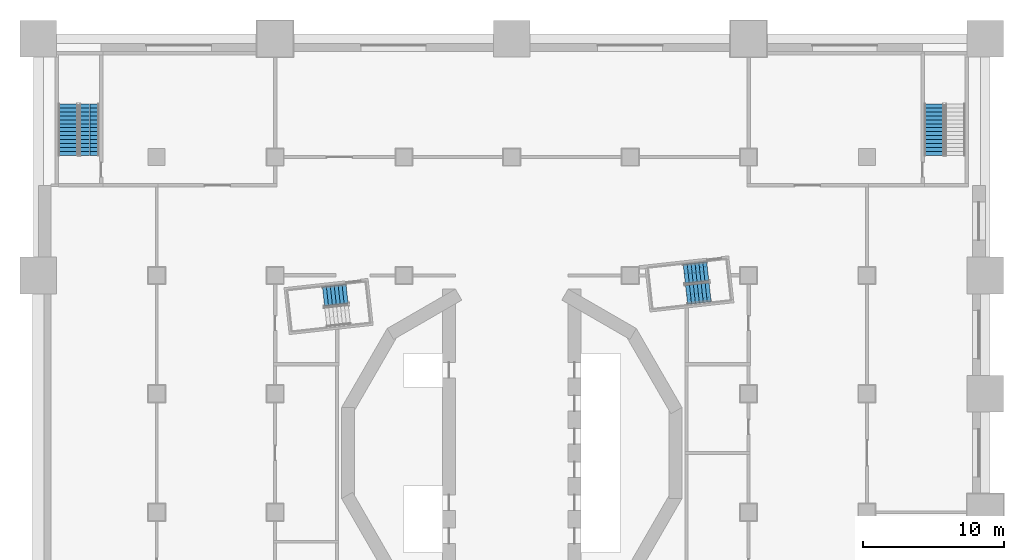
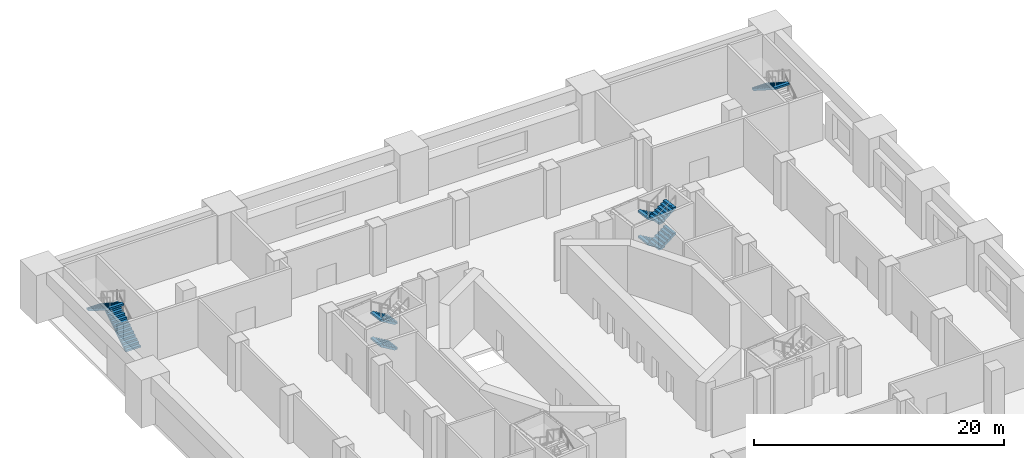
# One storey, part 7 of 17: 9 stair flights, 4 elements without a shape of their own.
"""IFC4 building model written with IfcOpenShell, lengths in metres."""

from ifc_helpers import new_model, si_unit, direction, frame, origin, place, context, subcontext, project, spatial, polyline, outline, extrude, material, type_object, element, aggregate, save


model = new_model("IFC4")

# Units and contexts
model_context = context("Model", 3, precision=1e-05, world=origin(), true_north=direction((0.0, 1.0)))
body_context = subcontext(model_context, "Body", "Model", "MODEL_VIEW")
ifc_project = project(units=[si_unit("LENGTHUNIT", "METRE"), si_unit("AREAUNIT", "SQUARE_METRE"), si_unit("VOLUMEUNIT", "CUBIC_METRE"), si_unit("PLANEANGLEUNIT", "RADIAN"), si_unit("MASSUNIT", "GRAM", prefix="KILO")], contexts=[model_context])

# Site, building, storey
site_placement = place(None, origin())
site = spatial("IfcSite", under=ifc_project, at=site_placement, CompositionType="ELEMENT")
building_placement = place(site_placement, origin())
building = spatial("IfcBuilding", under=site, at=building_placement, Name="Cantera Rosa Tower", CompositionType="ELEMENT")
storey_placement = place(building_placement, frame((0.0, 0.0, 27.0)))
storey = spatial("IfcBuildingStorey", under=building, at=storey_placement, Name="L04", CompositionType="ELEMENT", Elevation=27.0)

# Stair, stair flights
ifc_material_1 = material(Name="Concrete C35/45", Category="concrete")
stair_type_1 = type_object("IfcStairType", Name="EXIT STAIR 1350 DOGLEG", PredefinedType="HALF_TURN_STAIR", material=ifc_material_1)
stair_1_placement = place(storey_placement, origin())
stair_1 = element("IfcStair", 1, at=stair_1_placement, inside=storey, type_object=stair_type_1, Name="L04 ST-11", PredefinedType="HALF_TURN_STAIR")
ifc_material_2 = material(Name="Concrete C35/45", Category="concrete")
stair_flight_type_1 = type_object("IfcStairFlightType", Name="STAIR FLIGHT 1350 R28x179", PredefinedType="STRAIGHT", material=ifc_material_2)
stair_flight_1_placement = place(storey_placement, frame((13.90869140625, 12.89990234375, 0.0), z_axis=(0.0, 0.0, 1.0), x_axis=(-0.993896947056, -0.110312549749, 0.0)))
stair_flight_1 = element("IfcStairFlight", 2, at=stair_flight_1_placement, type_object=stair_flight_type_1, Name="ST-11 flight 1", NumberOfRisers=7, NumberOfTreads=6, PredefinedType="STRAIGHT", RiserHeight=0.178571429, TreadLength=0.28, context=body_context, shape_type="SweptSolid", body=[
    extrude(outline(polyline([(0.0, 0.0), (0.0, 0.178466796875), (0.280029296875, 0.178466796875), (0.280029296875, 0.357177734375), (0.56005859375, 0.357177734375), (0.56005859375, 0.53564453125), (0.840087890625, 0.53564453125), (0.840087890625, 0.71435546875), (1.1201171875, 0.71435546875), (1.1201171875, 0.892822265625), (1.39990234375, 0.892822265625), (1.39990234375, 1.071533203125), (1.679931640625, 1.071533203125), (1.679931640625, 1.25), (1.679931640625, 0.8935546875), (0.27880859375, 0.0), (0.0, 0.0)])), frame((0.0, 0.675048828125, 0.0), z_axis=(0.0, -1.0, 0.0), x_axis=(1.0, 0.0, 0.0)), (0.0, 0.0, 1.0), 0.3359375),
    extrude(outline(polyline([(0.0, 0.0), (0.0, 0.178466796875), (0.280029296875, 0.178466796875), (0.280029296875, 0.357177734375), (0.56005859375, 0.357177734375), (0.56005859375, 0.53564453125), (0.840087890625, 0.53564453125), (0.840087890625, 0.71435546875), (1.1201171875, 0.71435546875), (1.1201171875, 0.892822265625), (1.39990234375, 0.892822265625), (1.39990234375, 1.071533203125), (1.679931640625, 1.071533203125), (1.679931640625, 1.25), (1.679931640625, 0.8935546875), (0.27880859375, 0.0), (0.0, 0.0)])), frame((0.0, 0.337158203125, 0.0), z_axis=(0.0, -1.0, 0.0), x_axis=(1.0, 0.0, 0.0)), (0.0, 0.0, 1.0), 0.3359375),
    extrude(outline(polyline([(0.0, 0.0), (0.0, 0.178466796875), (0.280029296875, 0.178466796875), (0.280029296875, 0.357177734375), (0.56005859375, 0.357177734375), (0.56005859375, 0.53564453125), (0.840087890625, 0.53564453125), (0.840087890625, 0.71435546875), (1.1201171875, 0.71435546875), (1.1201171875, 0.892822265625), (1.39990234375, 0.892822265625), (1.39990234375, 1.071533203125), (1.679931640625, 1.071533203125), (1.679931640625, 1.25), (1.679931640625, 0.8935546875), (0.27880859375, 0.0), (0.0, 0.0)])), frame((0.0, -0.000732421875, 0.0), z_axis=(0.0, -1.0, 0.0), x_axis=(1.0, 0.0, 0.0)), (0.0, 0.0, 1.0), 0.3359375),
    extrude(outline(polyline([(0.0, 0.0), (0.0, 0.178466796875), (0.280029296875, 0.178466796875), (0.280029296875, 0.357177734375), (0.56005859375, 0.357177734375), (0.56005859375, 0.53564453125), (0.840087890625, 0.53564453125), (0.840087890625, 0.71435546875), (1.1201171875, 0.71435546875), (1.1201171875, 0.892822265625), (1.39990234375, 0.892822265625), (1.39990234375, 1.071533203125), (1.679931640625, 1.071533203125), (1.679931640625, 1.25), (1.679931640625, 0.8935546875), (0.27880859375, 0.0), (0.0, 0.0)])), frame((0.0, -0.338623046875, 0.0), z_axis=(0.0, -1.0, 0.0), x_axis=(1.0, 0.0, 0.0)), (0.0, 0.0, 1.0), 0.3359375),
])
stair_flight_2_placement = place(storey_placement, frame((12.404541015625, 11.2236328125, 1.25), z_axis=(0.0, 0.0, 1.0), x_axis=(0.993896947056, 0.110312549749, 0.0)))
stair_flight_2 = element("IfcStairFlight", 3, at=stair_flight_2_placement, type_object=stair_flight_type_1, Name="ST-11 flight 2", NumberOfRisers=7, NumberOfTreads=6, PredefinedType="STRAIGHT", RiserHeight=0.178571429, TreadLength=0.28, context=body_context, shape_type="SweptSolid", body=[
    extrude(outline(polyline([(0.0, 0.0), (0.0, 0.178466796875), (0.280029296875, 0.178466796875), (0.280029296875, 0.357177734375), (0.56005859375, 0.357177734375), (0.56005859375, 0.53564453125), (0.840087890625, 0.53564453125), (0.840087890625, 0.71435546875), (1.1201171875, 0.71435546875), (1.1201171875, 0.892822265625), (1.39990234375, 0.892822265625), (1.39990234375, 1.071533203125), (1.679931640625, 1.071533203125), (1.679931640625, 1.25), (1.679931640625, 0.8935546875), (0.27880859375, 0.0), (0.0, 0.0)])), frame((0.0, 0.675048828125, 0.0), z_axis=(0.0, -1.0, 0.0), x_axis=(1.0, 0.0, 0.0)), (0.0, 0.0, 1.0), 0.3359375),
    extrude(outline(polyline([(0.0, 0.0), (0.0, 0.178466796875), (0.280029296875, 0.178466796875), (0.280029296875, 0.357177734375), (0.56005859375, 0.357177734375), (0.56005859375, 0.53564453125), (0.840087890625, 0.53564453125), (0.840087890625, 0.71435546875), (1.1201171875, 0.71435546875), (1.1201171875, 0.892822265625), (1.39990234375, 0.892822265625), (1.39990234375, 1.071533203125), (1.679931640625, 1.071533203125), (1.679931640625, 1.25), (1.679931640625, 0.8935546875), (0.27880859375, 0.0), (0.0, 0.0)])), frame((0.0, 0.337158203125, 0.0), z_axis=(0.0, -1.0, 0.0), x_axis=(1.0, 0.0, 0.0)), (0.0, 0.0, 1.0), 0.3359375),
    extrude(outline(polyline([(0.0, 0.0), (0.0, 0.178466796875), (0.280029296875, 0.178466796875), (0.280029296875, 0.357177734375), (0.56005859375, 0.357177734375), (0.56005859375, 0.53564453125), (0.840087890625, 0.53564453125), (0.840087890625, 0.71435546875), (1.1201171875, 0.71435546875), (1.1201171875, 0.892822265625), (1.39990234375, 0.892822265625), (1.39990234375, 1.071533203125), (1.679931640625, 1.071533203125), (1.679931640625, 1.25), (1.679931640625, 0.8935546875), (0.27880859375, 0.0), (0.0, 0.0)])), frame((0.0, -0.000732421875, 0.0), z_axis=(0.0, -1.0, 0.0), x_axis=(1.0, 0.0, 0.0)), (0.0, 0.0, 1.0), 0.3359375),
    extrude(outline(polyline([(0.0, 0.0), (0.0, 0.178466796875), (0.280029296875, 0.178466796875), (0.280029296875, 0.357177734375), (0.56005859375, 0.357177734375), (0.56005859375, 0.53564453125), (0.840087890625, 0.53564453125), (0.840087890625, 0.71435546875), (1.1201171875, 0.71435546875), (1.1201171875, 0.892822265625), (1.39990234375, 0.892822265625), (1.39990234375, 1.071533203125), (1.679931640625, 1.071533203125), (1.679931640625, 1.25), (1.679931640625, 0.8935546875), (0.27880859375, 0.0), (0.0, 0.0)])), frame((0.0, -0.338623046875, 0.0), z_axis=(0.0, -1.0, 0.0), x_axis=(1.0, 0.0, 0.0)), (0.0, 0.0, 1.0), 0.3359375),
])
stair_flight_3_placement = place(storey_placement, frame((13.90869140625, 12.89990234375, 2.5), z_axis=(0.0, 0.0, 1.0), x_axis=(-0.993896947056, -0.110312549749, 0.0)))
stair_flight_3 = element("IfcStairFlight", 4, at=stair_flight_3_placement, type_object=stair_flight_type_1, Name="ST-11 flight 3", NumberOfRisers=7, NumberOfTreads=6, PredefinedType="STRAIGHT", RiserHeight=0.178571429, TreadLength=0.28, context=body_context, shape_type="SweptSolid", body=[
    extrude(outline(polyline([(0.0, 0.0), (0.0, 0.178466796875), (0.280029296875, 0.178466796875), (0.280029296875, 0.357177734375), (0.56005859375, 0.357177734375), (0.56005859375, 0.53564453125), (0.840087890625, 0.53564453125), (0.840087890625, 0.71435546875), (1.1201171875, 0.71435546875), (1.1201171875, 0.892822265625), (1.39990234375, 0.892822265625), (1.39990234375, 1.071533203125), (1.679931640625, 1.071533203125), (1.679931640625, 1.25), (1.679931640625, 0.8935546875), (0.27880859375, 0.0), (0.0, 0.0)])), frame((0.0, 0.675048828125, 0.0), z_axis=(0.0, -1.0, 0.0), x_axis=(1.0, 0.0, 0.0)), (0.0, 0.0, 1.0), 0.3359375),
    extrude(outline(polyline([(0.0, 0.0), (0.0, 0.178466796875), (0.280029296875, 0.178466796875), (0.280029296875, 0.357177734375), (0.56005859375, 0.357177734375), (0.56005859375, 0.53564453125), (0.840087890625, 0.53564453125), (0.840087890625, 0.71435546875), (1.1201171875, 0.71435546875), (1.1201171875, 0.892822265625), (1.39990234375, 0.892822265625), (1.39990234375, 1.071533203125), (1.679931640625, 1.071533203125), (1.679931640625, 1.25), (1.679931640625, 0.8935546875), (0.27880859375, 0.0), (0.0, 0.0)])), frame((0.0, 0.337158203125, 0.0), z_axis=(0.0, -1.0, 0.0), x_axis=(1.0, 0.0, 0.0)), (0.0, 0.0, 1.0), 0.3359375),
    extrude(outline(polyline([(0.0, 0.0), (0.0, 0.178466796875), (0.280029296875, 0.178466796875), (0.280029296875, 0.357177734375), (0.56005859375, 0.357177734375), (0.56005859375, 0.53564453125), (0.840087890625, 0.53564453125), (0.840087890625, 0.71435546875), (1.1201171875, 0.71435546875), (1.1201171875, 0.892822265625), (1.39990234375, 0.892822265625), (1.39990234375, 1.071533203125), (1.679931640625, 1.071533203125), (1.679931640625, 1.25), (1.679931640625, 0.8935546875), (0.27880859375, 0.0), (0.0, 0.0)])), frame((0.0, -0.000732421875, 0.0), z_axis=(0.0, -1.0, 0.0), x_axis=(1.0, 0.0, 0.0)), (0.0, 0.0, 1.0), 0.3359375),
    extrude(outline(polyline([(0.0, 0.0), (0.0, 0.178466796875), (0.280029296875, 0.178466796875), (0.280029296875, 0.357177734375), (0.56005859375, 0.357177734375), (0.56005859375, 0.53564453125), (0.840087890625, 0.53564453125), (0.840087890625, 0.71435546875), (1.1201171875, 0.71435546875), (1.1201171875, 0.892822265625), (1.39990234375, 0.892822265625), (1.39990234375, 1.071533203125), (1.679931640625, 1.071533203125), (1.679931640625, 1.25), (1.679931640625, 0.8935546875), (0.27880859375, 0.0), (0.0, 0.0)])), frame((0.0, -0.338623046875, 0.0), z_axis=(0.0, -1.0, 0.0), x_axis=(1.0, 0.0, 0.0)), (0.0, 0.0, 1.0), 0.3359375),
])
stair_flight_4_placement = place(storey_placement, frame((12.404541015625, 11.2236328125, 3.75), z_axis=(0.0, 0.0, 1.0), x_axis=(0.993896947056, 0.110312549749, 0.0)))
stair_flight_4 = element("IfcStairFlight", 5, at=stair_flight_4_placement, type_object=stair_flight_type_1, Name="ST-11 flight 4", NumberOfRisers=7, NumberOfTreads=6, PredefinedType="STRAIGHT", RiserHeight=0.178571429, TreadLength=0.28, context=body_context, shape_type="SweptSolid", body=[
    extrude(outline(polyline([(0.0, 0.0), (0.0, 0.178466796875), (0.280029296875, 0.178466796875), (0.280029296875, 0.357177734375), (0.56005859375, 0.357177734375), (0.56005859375, 0.53564453125), (0.840087890625, 0.53564453125), (0.840087890625, 0.71435546875), (1.1201171875, 0.71435546875), (1.1201171875, 0.892822265625), (1.39990234375, 0.892822265625), (1.39990234375, 1.071533203125), (1.679931640625, 1.071533203125), (1.679931640625, 1.25), (1.679931640625, 0.8935546875), (0.27880859375, 0.0), (0.0, 0.0)])), frame((0.0, 0.675048828125, 0.0), z_axis=(0.0, -1.0, 0.0), x_axis=(1.0, 0.0, 0.0)), (0.0, 0.0, 1.0), 0.3359375),
    extrude(outline(polyline([(0.0, 0.0), (0.0, 0.178466796875), (0.280029296875, 0.178466796875), (0.280029296875, 0.357177734375), (0.56005859375, 0.357177734375), (0.56005859375, 0.53564453125), (0.840087890625, 0.53564453125), (0.840087890625, 0.71435546875), (1.1201171875, 0.71435546875), (1.1201171875, 0.892822265625), (1.39990234375, 0.892822265625), (1.39990234375, 1.071533203125), (1.679931640625, 1.071533203125), (1.679931640625, 1.25), (1.679931640625, 0.8935546875), (0.27880859375, 0.0), (0.0, 0.0)])), frame((0.0, 0.337158203125, 0.0), z_axis=(0.0, -1.0, 0.0), x_axis=(1.0, 0.0, 0.0)), (0.0, 0.0, 1.0), 0.3359375),
    extrude(outline(polyline([(0.0, 0.0), (0.0, 0.178466796875), (0.280029296875, 0.178466796875), (0.280029296875, 0.357177734375), (0.56005859375, 0.357177734375), (0.56005859375, 0.53564453125), (0.840087890625, 0.53564453125), (0.840087890625, 0.71435546875), (1.1201171875, 0.71435546875), (1.1201171875, 0.892822265625), (1.39990234375, 0.892822265625), (1.39990234375, 1.071533203125), (1.679931640625, 1.071533203125), (1.679931640625, 1.25), (1.679931640625, 0.8935546875), (0.27880859375, 0.0), (0.0, 0.0)])), frame((0.0, -0.000732421875, 0.0), z_axis=(0.0, -1.0, 0.0), x_axis=(1.0, 0.0, 0.0)), (0.0, 0.0, 1.0), 0.3359375),
    extrude(outline(polyline([(0.0, 0.0), (0.0, 0.178466796875), (0.280029296875, 0.178466796875), (0.280029296875, 0.357177734375), (0.56005859375, 0.357177734375), (0.56005859375, 0.53564453125), (0.840087890625, 0.53564453125), (0.840087890625, 0.71435546875), (1.1201171875, 0.71435546875), (1.1201171875, 0.892822265625), (1.39990234375, 0.892822265625), (1.39990234375, 1.071533203125), (1.679931640625, 1.071533203125), (1.679931640625, 1.25), (1.679931640625, 0.8935546875), (0.27880859375, 0.0), (0.0, 0.0)])), frame((0.0, -0.338623046875, 0.0), z_axis=(0.0, -1.0, 0.0), x_axis=(1.0, 0.0, 0.0)), (0.0, 0.0, 1.0), 0.3359375),
])
aggregate(stair_1, [stair_flight_1, stair_flight_2, stair_flight_3, stair_flight_4])

stair_2_placement = place(storey_placement, origin())
stair_2 = element("IfcStair", 6, at=stair_2_placement, inside=storey, type_object=stair_type_1, Name="L04 ST-12", PredefinedType="HALF_TURN_STAIR")
stair_flight_5_placement = place(storey_placement, frame((-11.691162109375, 11.2998046875, 0.0), z_axis=(0.0, 0.0, 1.0), x_axis=(-0.993896947056, -0.110312549749, 0.0)))
stair_flight_5 = element("IfcStairFlight", 7, at=stair_flight_5_placement, type_object=stair_flight_type_1, Name="ST-12 flight 1", NumberOfRisers=7, NumberOfTreads=6, PredefinedType="STRAIGHT", RiserHeight=0.178571429, TreadLength=0.28, context=body_context, shape_type="SweptSolid", body=[
    extrude(outline(polyline([(0.0, 0.0), (0.0, 0.178466796875), (0.280029296875, 0.178466796875), (0.280029296875, 0.357177734375), (0.56005859375, 0.357177734375), (0.56005859375, 0.53564453125), (0.840087890625, 0.53564453125), (0.840087890625, 0.71435546875), (1.1201171875, 0.71435546875), (1.1201171875, 0.892822265625), (1.39990234375, 0.892822265625), (1.39990234375, 1.071533203125), (1.679931640625, 1.071533203125), (1.679931640625, 1.25), (1.679931640625, 0.8935546875), (0.27880859375, 0.0), (0.0, 0.0)])), frame((0.0, 0.675048828125, 0.0), z_axis=(0.0, -1.0, 0.0), x_axis=(1.0, 0.0, 0.0)), (0.0, 0.0, 1.0), 0.3359375),
    extrude(outline(polyline([(0.0, 0.0), (0.0, 0.178466796875), (0.280029296875, 0.178466796875), (0.280029296875, 0.357177734375), (0.56005859375, 0.357177734375), (0.56005859375, 0.53564453125), (0.840087890625, 0.53564453125), (0.840087890625, 0.71435546875), (1.1201171875, 0.71435546875), (1.1201171875, 0.892822265625), (1.39990234375, 0.892822265625), (1.39990234375, 1.071533203125), (1.679931640625, 1.071533203125), (1.679931640625, 1.25), (1.679931640625, 0.8935546875), (0.27880859375, 0.0), (0.0, 0.0)])), frame((0.0, 0.337158203125, 0.0), z_axis=(0.0, -1.0, 0.0), x_axis=(1.0, 0.0, 0.0)), (0.0, 0.0, 1.0), 0.3359375),
    extrude(outline(polyline([(0.0, 0.0), (0.0, 0.178466796875), (0.280029296875, 0.178466796875), (0.280029296875, 0.357177734375), (0.56005859375, 0.357177734375), (0.56005859375, 0.53564453125), (0.840087890625, 0.53564453125), (0.840087890625, 0.71435546875), (1.1201171875, 0.71435546875), (1.1201171875, 0.892822265625), (1.39990234375, 0.892822265625), (1.39990234375, 1.071533203125), (1.679931640625, 1.071533203125), (1.679931640625, 1.25), (1.679931640625, 0.8935546875), (0.27880859375, 0.0), (0.0, 0.0)])), frame((0.0, -0.000732421875, 0.0), z_axis=(0.0, -1.0, 0.0), x_axis=(1.0, 0.0, 0.0)), (0.0, 0.0, 1.0), 0.3359375),
    extrude(outline(polyline([(0.0, 0.0), (0.0, 0.178466796875), (0.280029296875, 0.178466796875), (0.280029296875, 0.357177734375), (0.56005859375, 0.357177734375), (0.56005859375, 0.53564453125), (0.840087890625, 0.53564453125), (0.840087890625, 0.71435546875), (1.1201171875, 0.71435546875), (1.1201171875, 0.892822265625), (1.39990234375, 0.892822265625), (1.39990234375, 1.071533203125), (1.679931640625, 1.071533203125), (1.679931640625, 1.25), (1.679931640625, 0.8935546875), (0.27880859375, 0.0), (0.0, 0.0)])), frame((0.0, -0.338623046875, 0.0), z_axis=(0.0, -1.0, 0.0), x_axis=(1.0, 0.0, 0.0)), (0.0, 0.0, 1.0), 0.3359375),
])
stair_flight_6_placement = place(storey_placement, frame((-11.691162109375, 11.2998046875, 2.5), z_axis=(0.0, 0.0, 1.0), x_axis=(-0.993896947056, -0.110312549749, 0.0)))
stair_flight_6 = element("IfcStairFlight", 8, at=stair_flight_6_placement, type_object=stair_flight_type_1, Name="ST-12 flight 3", NumberOfRisers=7, NumberOfTreads=6, PredefinedType="STRAIGHT", RiserHeight=0.178571429, TreadLength=0.28, context=body_context, shape_type="SweptSolid", body=[
    extrude(outline(polyline([(0.0, 0.0), (0.0, 0.178466796875), (0.280029296875, 0.178466796875), (0.280029296875, 0.357177734375), (0.56005859375, 0.357177734375), (0.56005859375, 0.53564453125), (0.840087890625, 0.53564453125), (0.840087890625, 0.71435546875), (1.1201171875, 0.71435546875), (1.1201171875, 0.892822265625), (1.39990234375, 0.892822265625), (1.39990234375, 1.071533203125), (1.679931640625, 1.071533203125), (1.679931640625, 1.25), (1.679931640625, 0.8935546875), (0.27880859375, 0.0), (0.0, 0.0)])), frame((0.0, 0.675048828125, 0.0), z_axis=(0.0, -1.0, 0.0), x_axis=(1.0, 0.0, 0.0)), (0.0, 0.0, 1.0), 0.3359375),
    extrude(outline(polyline([(0.0, 0.0), (0.0, 0.178466796875), (0.280029296875, 0.178466796875), (0.280029296875, 0.357177734375), (0.56005859375, 0.357177734375), (0.56005859375, 0.53564453125), (0.840087890625, 0.53564453125), (0.840087890625, 0.71435546875), (1.1201171875, 0.71435546875), (1.1201171875, 0.892822265625), (1.39990234375, 0.892822265625), (1.39990234375, 1.071533203125), (1.679931640625, 1.071533203125), (1.679931640625, 1.25), (1.679931640625, 0.8935546875), (0.27880859375, 0.0), (0.0, 0.0)])), frame((0.0, 0.337158203125, 0.0), z_axis=(0.0, -1.0, 0.0), x_axis=(1.0, 0.0, 0.0)), (0.0, 0.0, 1.0), 0.3359375),
    extrude(outline(polyline([(0.0, 0.0), (0.0, 0.178466796875), (0.280029296875, 0.178466796875), (0.280029296875, 0.357177734375), (0.56005859375, 0.357177734375), (0.56005859375, 0.53564453125), (0.840087890625, 0.53564453125), (0.840087890625, 0.71435546875), (1.1201171875, 0.71435546875), (1.1201171875, 0.892822265625), (1.39990234375, 0.892822265625), (1.39990234375, 1.071533203125), (1.679931640625, 1.071533203125), (1.679931640625, 1.25), (1.679931640625, 0.8935546875), (0.27880859375, 0.0), (0.0, 0.0)])), frame((0.0, -0.000732421875, 0.0), z_axis=(0.0, -1.0, 0.0), x_axis=(1.0, 0.0, 0.0)), (0.0, 0.0, 1.0), 0.3359375),
    extrude(outline(polyline([(0.0, 0.0), (0.0, 0.178466796875), (0.280029296875, 0.178466796875), (0.280029296875, 0.357177734375), (0.56005859375, 0.357177734375), (0.56005859375, 0.53564453125), (0.840087890625, 0.53564453125), (0.840087890625, 0.71435546875), (1.1201171875, 0.71435546875), (1.1201171875, 0.892822265625), (1.39990234375, 0.892822265625), (1.39990234375, 1.071533203125), (1.679931640625, 1.071533203125), (1.679931640625, 1.25), (1.679931640625, 0.8935546875), (0.27880859375, 0.0), (0.0, 0.0)])), frame((0.0, -0.338623046875, 0.0), z_axis=(0.0, -1.0, 0.0), x_axis=(1.0, 0.0, 0.0)), (0.0, 0.0, 1.0), 0.3359375),
])
aggregate(stair_2, [stair_flight_5, stair_flight_6])

# Stair, stair flight
ifc_material_3 = material(Name="Concrete C35/45", Category="concrete")
stair_type_2 = type_object("IfcStairType", Name="Stair half-turn 1350", PredefinedType="HALF_TURN_STAIR", material=ifc_material_3)
stair_3_placement = place(storey_placement, origin())
stair_3 = element("IfcStair", 9, at=stair_3_placement, inside=storey, type_object=stair_type_2, Name="L04 ST-NE", PredefinedType="HALF_TURN_STAIR")
ifc_material_4 = material(Name="Concrete C35/45", Category="concrete")
stair_flight_type_2 = type_object("IfcStairFlightType", Name="Stair flight 1350", PredefinedType="STRAIGHT", material=ifc_material_4)
stair_flight_7_placement = place(storey_placement, frame((29.949951171875, 24.764892578125, 2.5), z_axis=(0.0, 0.0, 1.0), x_axis=(0.0, -1.0, 0.0)))
stair_flight_7 = element("IfcStairFlight", 10, at=stair_flight_7_placement, type_object=stair_flight_type_2, Name="ST-NE flight 2", NumberOfRisers=14, NumberOfTreads=13, PredefinedType="STRAIGHT", RiserHeight=0.178571429, TreadLength=0.28, context=body_context, shape_type="SweptSolid", body=[
    extrude(outline(polyline([(0.0, 0.0), (0.0, 0.178466796875), (0.280029296875, 0.178466796875), (0.280029296875, 0.357177734375), (0.56005859375, 0.357177734375), (0.56005859375, 0.53564453125), (0.840087890625, 0.53564453125), (0.840087890625, 0.71435546875), (1.1201171875, 0.71435546875), (1.1201171875, 0.892822265625), (1.39990234375, 0.892822265625), (1.39990234375, 1.071533203125), (1.679931640625, 1.071533203125), (1.679931640625, 1.25), (1.9599609375, 1.25), (1.9599609375, 1.428466796875), (2.239990234375, 1.428466796875), (2.239990234375, 1.607177734375), (2.52001953125, 1.607177734375), (2.52001953125, 1.78564453125), (2.800048828125, 1.78564453125), (2.800048828125, 1.96435546875), (3.080078125, 1.96435546875), (3.080078125, 2.142822265625), (3.360107421875, 2.142822265625), (3.360107421875, 2.321533203125), (3.639892578125, 2.321533203125), (3.639892578125, 2.5), (3.639892578125, 2.1435546875), (0.27880859375, 0.0), (0.0, 0.0)])), frame((0.0, 0.675048828125, 0.0), z_axis=(0.0, -1.0, 0.0), x_axis=(1.0, 0.0, 0.0)), (0.0, 0.0, 1.0), 0.3359375),
    extrude(outline(polyline([(0.0, 0.0), (0.0, 0.178466796875), (0.280029296875, 0.178466796875), (0.280029296875, 0.357177734375), (0.56005859375, 0.357177734375), (0.56005859375, 0.53564453125), (0.840087890625, 0.53564453125), (0.840087890625, 0.71435546875), (1.1201171875, 0.71435546875), (1.1201171875, 0.892822265625), (1.39990234375, 0.892822265625), (1.39990234375, 1.071533203125), (1.679931640625, 1.071533203125), (1.679931640625, 1.25), (1.9599609375, 1.25), (1.9599609375, 1.428466796875), (2.239990234375, 1.428466796875), (2.239990234375, 1.607177734375), (2.52001953125, 1.607177734375), (2.52001953125, 1.78564453125), (2.800048828125, 1.78564453125), (2.800048828125, 1.96435546875), (3.080078125, 1.96435546875), (3.080078125, 2.142822265625), (3.360107421875, 2.142822265625), (3.360107421875, 2.321533203125), (3.639892578125, 2.321533203125), (3.639892578125, 2.5), (3.639892578125, 2.1435546875), (0.27880859375, 0.0), (0.0, 0.0)])), frame((0.0, 0.337158203125, 0.0), z_axis=(0.0, -1.0, 0.0), x_axis=(1.0, 0.0, 0.0)), (0.0, 0.0, 1.0), 0.3359375),
    extrude(outline(polyline([(0.0, 0.0), (0.0, 0.178466796875), (0.280029296875, 0.178466796875), (0.280029296875, 0.357177734375), (0.56005859375, 0.357177734375), (0.56005859375, 0.53564453125), (0.840087890625, 0.53564453125), (0.840087890625, 0.71435546875), (1.1201171875, 0.71435546875), (1.1201171875, 0.892822265625), (1.39990234375, 0.892822265625), (1.39990234375, 1.071533203125), (1.679931640625, 1.071533203125), (1.679931640625, 1.25), (1.9599609375, 1.25), (1.9599609375, 1.428466796875), (2.239990234375, 1.428466796875), (2.239990234375, 1.607177734375), (2.52001953125, 1.607177734375), (2.52001953125, 1.78564453125), (2.800048828125, 1.78564453125), (2.800048828125, 1.96435546875), (3.080078125, 1.96435546875), (3.080078125, 2.142822265625), (3.360107421875, 2.142822265625), (3.360107421875, 2.321533203125), (3.639892578125, 2.321533203125), (3.639892578125, 2.5), (3.639892578125, 2.1435546875), (0.27880859375, 0.0), (0.0, 0.0)])), frame((0.0, -0.000732421875, 0.0), z_axis=(0.0, -1.0, 0.0), x_axis=(1.0, 0.0, 0.0)), (0.0, 0.0, 1.0), 0.3359375),
    extrude(outline(polyline([(0.0, 0.0), (0.0, 0.178466796875), (0.280029296875, 0.178466796875), (0.280029296875, 0.357177734375), (0.56005859375, 0.357177734375), (0.56005859375, 0.53564453125), (0.840087890625, 0.53564453125), (0.840087890625, 0.71435546875), (1.1201171875, 0.71435546875), (1.1201171875, 0.892822265625), (1.39990234375, 0.892822265625), (1.39990234375, 1.071533203125), (1.679931640625, 1.071533203125), (1.679931640625, 1.25), (1.9599609375, 1.25), (1.9599609375, 1.428466796875), (2.239990234375, 1.428466796875), (2.239990234375, 1.607177734375), (2.52001953125, 1.607177734375), (2.52001953125, 1.78564453125), (2.800048828125, 1.78564453125), (2.800048828125, 1.96435546875), (3.080078125, 1.96435546875), (3.080078125, 2.142822265625), (3.360107421875, 2.142822265625), (3.360107421875, 2.321533203125), (3.639892578125, 2.321533203125), (3.639892578125, 2.5), (3.639892578125, 2.1435546875), (0.27880859375, 0.0), (0.0, 0.0)])), frame((0.0, -0.338623046875, 0.0), z_axis=(0.0, -1.0, 0.0), x_axis=(1.0, 0.0, 0.0)), (0.0, 0.0, 1.0), 0.3359375),
])
aggregate(stair_3, [stair_flight_7])

# Stair, stair flights
stair_4_placement = place(storey_placement, origin())
stair_4 = element("IfcStair", 11, at=stair_4_placement, inside=storey, type_object=stair_type_2, Name="L04 ST-NW", PredefinedType="HALF_TURN_STAIR")
stair_flight_8_placement = place(storey_placement, frame((-29.949951171875, 21.125, 0.0), z_axis=(0.0, 0.0, 1.0), x_axis=(0.0, 1.0, 0.0)))
stair_flight_8 = element("IfcStairFlight", 12, at=stair_flight_8_placement, type_object=stair_flight_type_2, Name="ST-NW flight 1", NumberOfRisers=14, NumberOfTreads=13, PredefinedType="STRAIGHT", RiserHeight=0.178571429, TreadLength=0.28, context=body_context, shape_type="SweptSolid", body=[
    extrude(outline(polyline([(0.0, 0.0), (0.0, 0.178466796875), (0.280029296875, 0.178466796875), (0.280029296875, 0.357177734375), (0.56005859375, 0.357177734375), (0.56005859375, 0.53564453125), (0.840087890625, 0.53564453125), (0.840087890625, 0.71435546875), (1.1201171875, 0.71435546875), (1.1201171875, 0.892822265625), (1.39990234375, 0.892822265625), (1.39990234375, 1.071533203125), (1.679931640625, 1.071533203125), (1.679931640625, 1.25), (1.9599609375, 1.25), (1.9599609375, 1.428466796875), (2.239990234375, 1.428466796875), (2.239990234375, 1.607177734375), (2.52001953125, 1.607177734375), (2.52001953125, 1.78564453125), (2.800048828125, 1.78564453125), (2.800048828125, 1.96435546875), (3.080078125, 1.96435546875), (3.080078125, 2.142822265625), (3.360107421875, 2.142822265625), (3.360107421875, 2.321533203125), (3.639892578125, 2.321533203125), (3.639892578125, 2.5), (3.639892578125, 2.1435546875), (0.27880859375, 0.0), (0.0, 0.0)])), frame((0.0, 0.675048828125, 0.0), z_axis=(0.0, -1.0, 0.0), x_axis=(1.0, 0.0, 0.0)), (0.0, 0.0, 1.0), 0.3359375),
    extrude(outline(polyline([(0.0, 0.0), (0.0, 0.178466796875), (0.280029296875, 0.178466796875), (0.280029296875, 0.357177734375), (0.56005859375, 0.357177734375), (0.56005859375, 0.53564453125), (0.840087890625, 0.53564453125), (0.840087890625, 0.71435546875), (1.1201171875, 0.71435546875), (1.1201171875, 0.892822265625), (1.39990234375, 0.892822265625), (1.39990234375, 1.071533203125), (1.679931640625, 1.071533203125), (1.679931640625, 1.25), (1.9599609375, 1.25), (1.9599609375, 1.428466796875), (2.239990234375, 1.428466796875), (2.239990234375, 1.607177734375), (2.52001953125, 1.607177734375), (2.52001953125, 1.78564453125), (2.800048828125, 1.78564453125), (2.800048828125, 1.96435546875), (3.080078125, 1.96435546875), (3.080078125, 2.142822265625), (3.360107421875, 2.142822265625), (3.360107421875, 2.321533203125), (3.639892578125, 2.321533203125), (3.639892578125, 2.5), (3.639892578125, 2.1435546875), (0.27880859375, 0.0), (0.0, 0.0)])), frame((0.0, 0.337158203125, 0.0), z_axis=(0.0, -1.0, 0.0), x_axis=(1.0, 0.0, 0.0)), (0.0, 0.0, 1.0), 0.3359375),
    extrude(outline(polyline([(0.0, 0.0), (0.0, 0.178466796875), (0.280029296875, 0.178466796875), (0.280029296875, 0.357177734375), (0.56005859375, 0.357177734375), (0.56005859375, 0.53564453125), (0.840087890625, 0.53564453125), (0.840087890625, 0.71435546875), (1.1201171875, 0.71435546875), (1.1201171875, 0.892822265625), (1.39990234375, 0.892822265625), (1.39990234375, 1.071533203125), (1.679931640625, 1.071533203125), (1.679931640625, 1.25), (1.9599609375, 1.25), (1.9599609375, 1.428466796875), (2.239990234375, 1.428466796875), (2.239990234375, 1.607177734375), (2.52001953125, 1.607177734375), (2.52001953125, 1.78564453125), (2.800048828125, 1.78564453125), (2.800048828125, 1.96435546875), (3.080078125, 1.96435546875), (3.080078125, 2.142822265625), (3.360107421875, 2.142822265625), (3.360107421875, 2.321533203125), (3.639892578125, 2.321533203125), (3.639892578125, 2.5), (3.639892578125, 2.1435546875), (0.27880859375, 0.0), (0.0, 0.0)])), frame((0.0, -0.000732421875, 0.0), z_axis=(0.0, -1.0, 0.0), x_axis=(1.0, 0.0, 0.0)), (0.0, 0.0, 1.0), 0.3359375),
    extrude(outline(polyline([(0.0, 0.0), (0.0, 0.178466796875), (0.280029296875, 0.178466796875), (0.280029296875, 0.357177734375), (0.56005859375, 0.357177734375), (0.56005859375, 0.53564453125), (0.840087890625, 0.53564453125), (0.840087890625, 0.71435546875), (1.1201171875, 0.71435546875), (1.1201171875, 0.892822265625), (1.39990234375, 0.892822265625), (1.39990234375, 1.071533203125), (1.679931640625, 1.071533203125), (1.679931640625, 1.25), (1.9599609375, 1.25), (1.9599609375, 1.428466796875), (2.239990234375, 1.428466796875), (2.239990234375, 1.607177734375), (2.52001953125, 1.607177734375), (2.52001953125, 1.78564453125), (2.800048828125, 1.78564453125), (2.800048828125, 1.96435546875), (3.080078125, 1.96435546875), (3.080078125, 2.142822265625), (3.360107421875, 2.142822265625), (3.360107421875, 2.321533203125), (3.639892578125, 2.321533203125), (3.639892578125, 2.5), (3.639892578125, 2.1435546875), (0.27880859375, 0.0), (0.0, 0.0)])), frame((0.0, -0.338623046875, 0.0), z_axis=(0.0, -1.0, 0.0), x_axis=(1.0, 0.0, 0.0)), (0.0, 0.0, 1.0), 0.3359375),
])
stair_flight_9_placement = place(storey_placement, frame((-31.5, 24.764892578125, 2.5), z_axis=(0.0, 0.0, 1.0), x_axis=(0.0, -1.0, 0.0)))
stair_flight_9 = element("IfcStairFlight", 13, at=stair_flight_9_placement, type_object=stair_flight_type_2, Name="ST-NW flight 2", NumberOfRisers=14, NumberOfTreads=13, PredefinedType="STRAIGHT", RiserHeight=0.178571429, TreadLength=0.28, context=body_context, shape_type="SweptSolid", body=[
    extrude(outline(polyline([(0.0, 0.0), (0.0, 0.178466796875), (0.280029296875, 0.178466796875), (0.280029296875, 0.357177734375), (0.56005859375, 0.357177734375), (0.56005859375, 0.53564453125), (0.840087890625, 0.53564453125), (0.840087890625, 0.71435546875), (1.1201171875, 0.71435546875), (1.1201171875, 0.892822265625), (1.39990234375, 0.892822265625), (1.39990234375, 1.071533203125), (1.679931640625, 1.071533203125), (1.679931640625, 1.25), (1.9599609375, 1.25), (1.9599609375, 1.428466796875), (2.239990234375, 1.428466796875), (2.239990234375, 1.607177734375), (2.52001953125, 1.607177734375), (2.52001953125, 1.78564453125), (2.800048828125, 1.78564453125), (2.800048828125, 1.96435546875), (3.080078125, 1.96435546875), (3.080078125, 2.142822265625), (3.360107421875, 2.142822265625), (3.360107421875, 2.321533203125), (3.639892578125, 2.321533203125), (3.639892578125, 2.5), (3.639892578125, 2.1435546875), (0.27880859375, 0.0), (0.0, 0.0)])), frame((0.0, 0.675048828125, 0.0), z_axis=(0.0, -1.0, 0.0), x_axis=(1.0, 0.0, 0.0)), (0.0, 0.0, 1.0), 0.3359375),
    extrude(outline(polyline([(0.0, 0.0), (0.0, 0.178466796875), (0.280029296875, 0.178466796875), (0.280029296875, 0.357177734375), (0.56005859375, 0.357177734375), (0.56005859375, 0.53564453125), (0.840087890625, 0.53564453125), (0.840087890625, 0.71435546875), (1.1201171875, 0.71435546875), (1.1201171875, 0.892822265625), (1.39990234375, 0.892822265625), (1.39990234375, 1.071533203125), (1.679931640625, 1.071533203125), (1.679931640625, 1.25), (1.9599609375, 1.25), (1.9599609375, 1.428466796875), (2.239990234375, 1.428466796875), (2.239990234375, 1.607177734375), (2.52001953125, 1.607177734375), (2.52001953125, 1.78564453125), (2.800048828125, 1.78564453125), (2.800048828125, 1.96435546875), (3.080078125, 1.96435546875), (3.080078125, 2.142822265625), (3.360107421875, 2.142822265625), (3.360107421875, 2.321533203125), (3.639892578125, 2.321533203125), (3.639892578125, 2.5), (3.639892578125, 2.1435546875), (0.27880859375, 0.0), (0.0, 0.0)])), frame((0.0, 0.337158203125, 0.0), z_axis=(0.0, -1.0, 0.0), x_axis=(1.0, 0.0, 0.0)), (0.0, 0.0, 1.0), 0.3359375),
    extrude(outline(polyline([(0.0, 0.0), (0.0, 0.178466796875), (0.280029296875, 0.178466796875), (0.280029296875, 0.357177734375), (0.56005859375, 0.357177734375), (0.56005859375, 0.53564453125), (0.840087890625, 0.53564453125), (0.840087890625, 0.71435546875), (1.1201171875, 0.71435546875), (1.1201171875, 0.892822265625), (1.39990234375, 0.892822265625), (1.39990234375, 1.071533203125), (1.679931640625, 1.071533203125), (1.679931640625, 1.25), (1.9599609375, 1.25), (1.9599609375, 1.428466796875), (2.239990234375, 1.428466796875), (2.239990234375, 1.607177734375), (2.52001953125, 1.607177734375), (2.52001953125, 1.78564453125), (2.800048828125, 1.78564453125), (2.800048828125, 1.96435546875), (3.080078125, 1.96435546875), (3.080078125, 2.142822265625), (3.360107421875, 2.142822265625), (3.360107421875, 2.321533203125), (3.639892578125, 2.321533203125), (3.639892578125, 2.5), (3.639892578125, 2.1435546875), (0.27880859375, 0.0), (0.0, 0.0)])), frame((0.0, -0.000732421875, 0.0), z_axis=(0.0, -1.0, 0.0), x_axis=(1.0, 0.0, 0.0)), (0.0, 0.0, 1.0), 0.3359375),
    extrude(outline(polyline([(0.0, 0.0), (0.0, 0.178466796875), (0.280029296875, 0.178466796875), (0.280029296875, 0.357177734375), (0.56005859375, 0.357177734375), (0.56005859375, 0.53564453125), (0.840087890625, 0.53564453125), (0.840087890625, 0.71435546875), (1.1201171875, 0.71435546875), (1.1201171875, 0.892822265625), (1.39990234375, 0.892822265625), (1.39990234375, 1.071533203125), (1.679931640625, 1.071533203125), (1.679931640625, 1.25), (1.9599609375, 1.25), (1.9599609375, 1.428466796875), (2.239990234375, 1.428466796875), (2.239990234375, 1.607177734375), (2.52001953125, 1.607177734375), (2.52001953125, 1.78564453125), (2.800048828125, 1.78564453125), (2.800048828125, 1.96435546875), (3.080078125, 1.96435546875), (3.080078125, 2.142822265625), (3.360107421875, 2.142822265625), (3.360107421875, 2.321533203125), (3.639892578125, 2.321533203125), (3.639892578125, 2.5), (3.639892578125, 2.1435546875), (0.27880859375, 0.0), (0.0, 0.0)])), frame((0.0, -0.338623046875, 0.0), z_axis=(0.0, -1.0, 0.0), x_axis=(1.0, 0.0, 0.0)), (0.0, 0.0, 1.0), 0.3359375),
])
aggregate(stair_4, [stair_flight_8, stair_flight_9])

save(model, "model.ifc")
